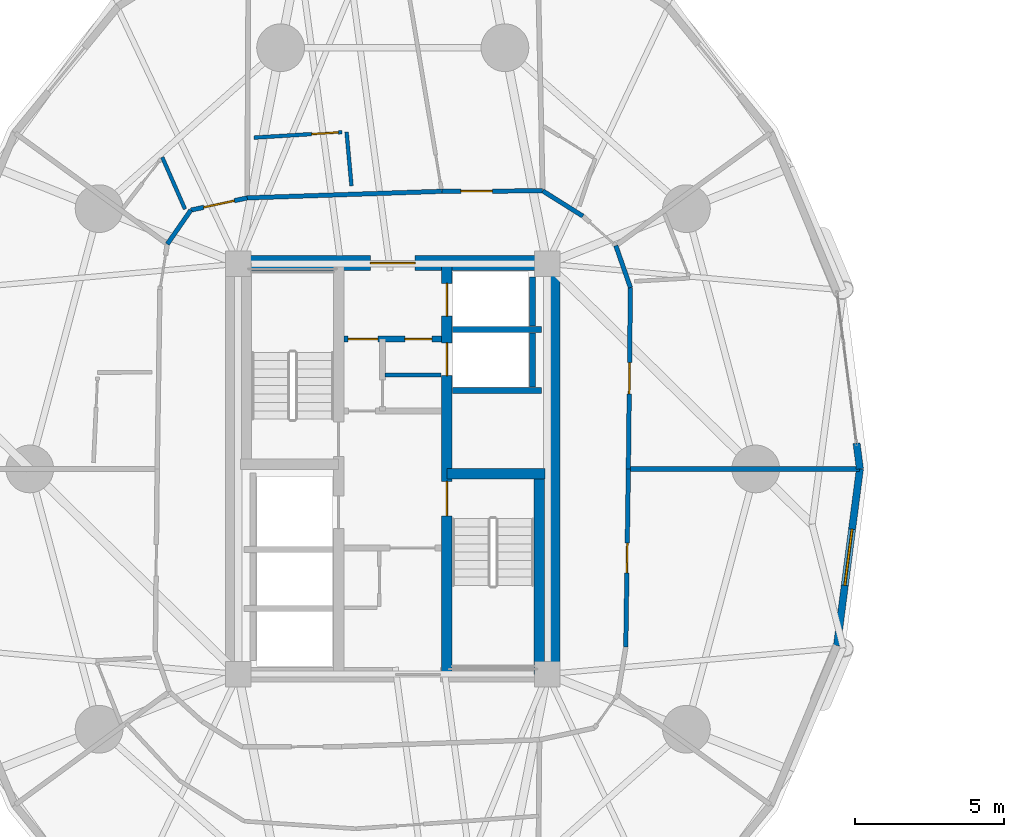
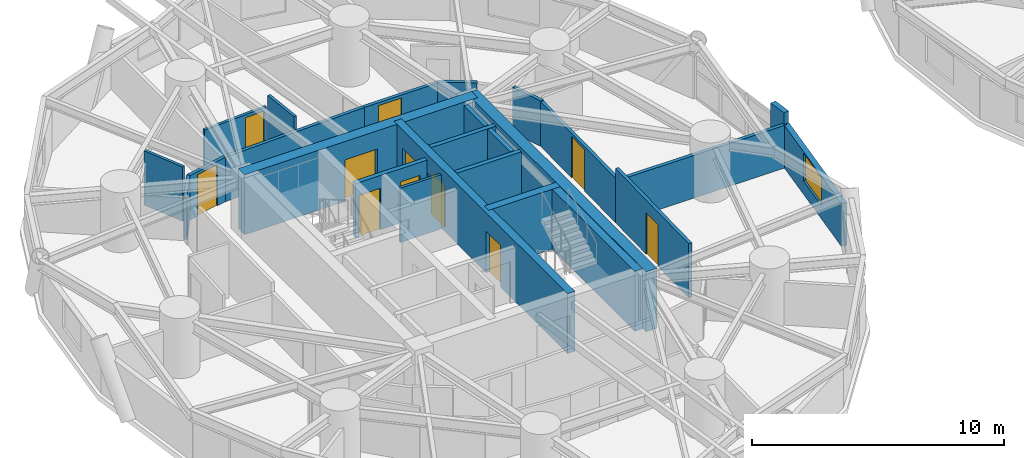
# One storey, part 11 of 18: 25 walls, 11 doors, 1 window, 12 openings.
"""IFC4 building model written with IfcOpenShell, lengths in metres."""

from ifc_helpers import new_model, si_unit, direction, frame, frame_2d, origin, place, context, subcontext, project, spatial, rectangle, extrude, source, transform, mapped, material, layer, layer_set, type_object, element, fill, save


model = new_model("IFC4")

# Units and contexts
model_context = context("Model", 3, precision=1e-05, world=origin(), true_north=direction((0.0, 1.0)))
body_context = subcontext(model_context, "Body", "Model", "MODEL_VIEW")
ifc_project = project(units=[si_unit("LENGTHUNIT", "METRE"), si_unit("AREAUNIT", "SQUARE_METRE"), si_unit("VOLUMEUNIT", "CUBIC_METRE"), si_unit("PLANEANGLEUNIT", "RADIAN"), si_unit("MASSUNIT", "GRAM", prefix="KILO")], contexts=[model_context])

# Site, building, storey
site_placement = place(None, origin())
site = spatial("IfcSite", under=ifc_project, at=site_placement, CompositionType="ELEMENT")
building_placement = place(site_placement, origin())
building = spatial("IfcBuilding", under=site, at=building_placement, Name="Cununo Teusaquillo Station Towers", CompositionType="ELEMENT")
storey_placement = place(building_placement, frame((0.0, 0.0, 54.010009765625)))
storey = spatial("IfcBuildingStorey", under=building, at=storey_placement, Name="L16", CompositionType="ELEMENT", Elevation=54.010009765625)

# Walls
ifc_material_1 = material(Name="Concrete C50/60", Category="concrete")
ifc_layer_1 = layer(ifc_material_1, 0.199951171875)
ifc_layer_set_1 = layer_set([ifc_layer_1], Name="Concrete C50/60")
wall_type_1 = type_object("IfcWallType", Name="WL-CORE-200", PredefinedType="SHEAR", material=ifc_layer_set_1)
for number, where, z_axis, x_axis, name in (
    (1, (18.510009765625, 27.1298828125, 0.0), (0.0, 0.0, 1.0), (1.0, 0.0, 0.0), "L16 Tower A Low-Rise Lift Hoistway South Shear Wall"),
    (2, (18.510009765625, 29.175048828125, 0.0), (0.0, 0.0, 1.0), (1.0, 0.0, 0.0), "L16 Tower A Low-Rise Lift Hoistway Divider Shear Wall"),
):
    element("IfcWall", number, at=place(storey_placement, frame(where, z_axis=z_axis, x_axis=x_axis)), inside=storey, type_object=wall_type_1, Name=name, PredefinedType="SHEAR", context=body_context, shape_type="SweptSolid", body=[
        extrude(rectangle(XDim=2.969970703125, YDim=0.199951171875, at=frame_2d((1.48486328125, 0.0))), origin(), (0.0, 0.0, 1.0), 2.909912109375),
    ])
wall_1_placement = place(storey_placement, frame((21.179931640625, 27.25, 0.0), z_axis=(0.0, 0.0, 1.0), x_axis=(0.0, 1.0, 0.0)))
element("IfcWall", 3, at=wall_1_placement, inside=storey, type_object=wall_type_1, Name="L16 Tower A Low-Rise Lift 1 Shaft Rear Shear Wall", PredefinedType="SHEAR", context=body_context, shape_type="SweptSolid", body=[
    extrude(rectangle(XDim=1.804931640625, YDim=0.199951171875, at=frame_2d((0.90234375, 0.0))), origin(), (0.0, 0.0, 1.0), 2.909912109375),
])
wall_2_placement = place(storey_placement, frame((21.179931640625, 29.294921875, 0.0), z_axis=(0.0, 0.0, 1.0), x_axis=(0.0, 1.0, 0.0)))
element("IfcWall", 4, at=wall_2_placement, inside=storey, type_object=wall_type_1, Name="L16 Tower A Low-Rise Lift 2 Shaft Rear Shear Wall", PredefinedType="SHEAR", context=body_context, shape_type="SweptSolid", body=[
    extrude(rectangle(XDim=1.635009765625, YDim=0.199951171875, at=frame_2d((0.8173828125, 0.0))), origin(), (0.0, 0.0, 1.0), 2.909912109375),
])

# Wall, openings, doors
ifc_material_2 = material(Name="Concrete C50/60", Category="concrete")
ifc_layer_2 = layer(ifc_material_2, 0.35009765625)
ifc_layer_set_2 = layer_set([ifc_layer_2], Name="Concrete C50/60")
wall_type_2 = type_object("IfcWallType", Name="WL-CORE-350", PredefinedType="SHEAR", material=ifc_layer_set_2)
wall_3_placement = place(storey_placement, frame((18.31494140625, 17.60009765625, 0.0), z_axis=(0.0, 0.0, 1.0), x_axis=(0.0, 1.0, 0.0)))
wall_3 = element("IfcWall", 5, at=wall_3_placement, inside=storey, type_object=wall_type_2, Name="L16 Tower A Core Shear Wall IE", PredefinedType="SHEAR", context=body_context, shape_type="SweptSolid", body=[
    extrude(rectangle(XDim=13.7998046875, YDim=0.35009765625, at=frame_2d((6.89990234375, 0.0))), origin(), (0.0, 0.0, 1.0), 2.909912109375),
])
shared_shape_1 = source(origin(), body_context, "Body", "SweptSolid", [
    extrude(rectangle(XDim=1.10009765625, YDim=2.014892578125, at=frame_2d((0.550048828125, 1.00732421875))), frame((0.0, 0.18505859375, 0.0), z_axis=(0.0, -1.0, 0.0), x_axis=(1.0, 0.0, 0.0)), (0.0, 0.0, 1.0), 0.3701171875),
])
opening_1_placement = place(wall_3_placement, frame((10.02490234375, 0.0, 0.0)))
opening_1 = element("IfcOpeningElement", 6, at=opening_1_placement, cuts=wall_3, Name="Opening LD-01", PredefinedType="OPENING", context=body_context, shape_type="MappedRepresentation", body=[
    mapped(shared_shape_1, transform((0.0, 0.0, 0.0), x_axis=(1.0, 0.0, 0.0), y_axis=(0.0, 1.0, 0.0), z_axis=(0.0, 0.0, 1.0), scale=1.0)),
])
opening_2_placement = place(wall_3_placement, frame((12.02490234375, 0.0, 0.0)))
opening_2 = element("IfcOpeningElement", 7, at=opening_2_placement, cuts=wall_3, Name="Opening LD-01", PredefinedType="OPENING", context=body_context, shape_type="MappedRepresentation", body=[
    mapped(shared_shape_1, transform((0.0, 0.0, 0.0), x_axis=(1.0, 0.0, 0.0), y_axis=(0.0, 1.0, 0.0), z_axis=(0.0, 0.0, 1.0), scale=1.0)),
])
shared_shape_2 = source(origin(), body_context, "Body", "SweptSolid", [
    extrude(rectangle(XDim=1.14990234375, YDim=2.02001953125, at=frame_2d((0.574951171875, 1.010009765625))), frame((0.0, 0.18505859375, 0.0), z_axis=(0.0, -1.0, 0.0), x_axis=(1.0, 0.0, 0.0)), (0.0, 0.0, 1.0), 0.3701171875),
])
opening_3_placement = place(wall_3_placement, frame((5.330078125, 0.0, 0.0)))
opening_3 = element("IfcOpeningElement", 8, at=opening_3_placement, cuts=wall_3, Name="Opening D-ST1", PredefinedType="OPENING", context=body_context, shape_type="MappedRepresentation", body=[
    mapped(shared_shape_2, transform((0.0, 0.0, 0.0), x_axis=(1.0, 0.0, 0.0), y_axis=(0.0, 1.0, 0.0), z_axis=(0.0, 0.0, 1.0), scale=1.0)),
])
ifc_material_3 = material(Name="Galvanised fire-rated hollow steel door assembly", Category="steel")
door_type_1 = type_object("IfcDoorType", Name="DR-LIFT-1100", OperationType="SLIDING_TO_LEFT", PredefinedType="DOOR", material=ifc_material_3)
shared_shape_3 = source(origin(), body_context, "Body", "SweptSolid", [
    extrude(rectangle(XDim=1.10009765625, YDim=2.014892578125, at=frame_2d((0.550048828125, 1.00732421875))), frame((0.0, 0.02490234375, 0.0), z_axis=(0.0, -1.0, 0.0), x_axis=(1.0, 0.0, 0.0)), (0.0, 0.0, 1.0), 0.050048828125),
])
door_1_placement = place(opening_1_placement, origin())
door_1 = element("IfcDoor", 9, at=door_1_placement, inside=storey, type_object=door_type_1, Name="L16 Lift PL-T1-L1 Sliding Landing Door", OperationType="SLIDING_TO_RIGHT", OverallHeight=2.014892578125, OverallWidth=1.10009765625, PredefinedType="DOOR", context=body_context, shape_type="MappedRepresentation", body=[
    mapped(shared_shape_3, transform((0.0, 0.0, 0.0), x_axis=(1.0, 0.0, 0.0), y_axis=(0.0, 1.0, 0.0), z_axis=(0.0, 0.0, 1.0), scale=1.0)),
])
fill(opening_1, door_1)
door_2_placement = place(opening_2_placement, origin())
door_2 = element("IfcDoor", 10, at=door_2_placement, inside=storey, type_object=door_type_1, Name="L16 Lift PL-T1-L2 Sliding Landing Door", OperationType="SLIDING_TO_LEFT", OverallHeight=2.014892578125, OverallWidth=1.10009765625, PredefinedType="DOOR", context=body_context, shape_type="MappedRepresentation", body=[
    mapped(shared_shape_3, transform((0.0, 0.0, 0.0), x_axis=(1.0, 0.0, 0.0), y_axis=(0.0, 1.0, 0.0), z_axis=(0.0, 0.0, 1.0), scale=1.0)),
])
fill(opening_2, door_2)
ifc_material_4 = material(Name="Galvanised fire-rated hollow steel door assembly", Category="steel")
door_type_2 = type_object("IfcDoorType", Name="DR-STAIR-1150", OperationType="NOTDEFINED", PredefinedType="DOOR", material=ifc_material_4)
shared_shape_4 = source(origin(), body_context, "Body", "SweptSolid", [
    extrude(rectangle(XDim=1.14990234375, YDim=2.02001953125, at=frame_2d((0.574951171875, 1.010009765625))), frame((0.0, 0.02490234375, 0.0), z_axis=(0.0, -1.0, 0.0), x_axis=(1.0, 0.0, 0.0)), (0.0, 0.0, 1.0), 0.050048828125),
])
door_3_placement = place(opening_3_placement, origin())
door_3 = element("IfcDoor", 11, at=door_3_placement, inside=storey, type_object=door_type_2, Name="L16 Tower A Exit Stair 2 Fire Door", OperationType="SINGLE_SWING_RIGHT", OverallHeight=2.02001953125, OverallWidth=1.14990234375, PredefinedType="DOOR", context=body_context, shape_type="MappedRepresentation", body=[
    mapped(shared_shape_4, transform((0.0, 0.0, 0.0), x_axis=(1.0, 0.0, 0.0), y_axis=(0.0, 1.0, 0.0), z_axis=(0.0, 0.0, 1.0), scale=1.0)),
])
fill(opening_3, door_3)

# Walls
wall_4_placement = place(storey_placement, frame((21.405029296875, 17.60009765625, 0.0), z_axis=(0.0, 0.0, 1.0), x_axis=(0.0, 1.0, 0.0)))
element("IfcWall", 12, at=wall_4_placement, inside=storey, type_object=wall_type_2, Name="L16 Tower A Core Shear Wall ST2E", PredefinedType="SHEAR", context=body_context, shape_type="SweptSolid", body=[
    extrude(rectangle(XDim=6.744873046875, YDim=0.35009765625, at=frame_2d((3.37255859375, 0.0))), origin(), (0.0, 0.0, 1.0), 2.909912109375),
])
wall_5_placement = place(storey_placement, frame((18.31494140625, 24.344970703125, 0.0), z_axis=(0.0, 0.0, 1.0), x_axis=(1.0, 0.0, 0.0)))
element("IfcWall", 13, at=wall_5_placement, inside=storey, type_object=wall_type_2, Name="L16 Tower A Core Shear Wall ST2N", PredefinedType="SHEAR", context=body_context, shape_type="SweptSolid", body=[
    extrude(rectangle(XDim=3.28515625, YDim=0.35009765625, at=frame_2d((1.642578125, 0.0))), origin(), (0.0, 0.0, 1.0), 2.909912109375),
])
ifc_material_5 = material(Name="Concrete C60/75", Category="concrete")
ifc_layer_3 = layer(ifc_material_5, 0.5)
ifc_layer_set_3 = layer_set([ifc_layer_3], Name="Concrete C60/75")
wall_type_3 = type_object("IfcWallType", Name="WL-CORE-500", PredefinedType="SHEAR", material=ifc_layer_set_3)
wall_6_placement = place(storey_placement, frame((21.85009765625, 17.35009765625, 0.0), z_axis=(0.0, 0.0, 1.0), x_axis=(0.0, 1.0, 0.0)))
element("IfcWall", 14, at=wall_6_placement, inside=storey, type_object=wall_type_3, Name="L16 Tower A Core Shear Wall E", PredefinedType="SHEAR", context=body_context, shape_type="SweptSolid", body=[
    extrude(rectangle(XDim=14.2998046875, YDim=0.5, at=frame_2d((7.14990234375, 0.0))), origin(), (0.0, 0.0, 1.0), 2.909912109375),
])

# Wall, opening, door
wall_7_placement = place(storey_placement, frame((11.14990234375, 31.39990234375, 0.0), z_axis=(0.0, 0.0, 1.0), x_axis=(1.0, 0.0, 0.0)))
wall_7 = element("IfcWall", 15, at=wall_7_placement, inside=storey, type_object=wall_type_3, Name="L16 Tower A Core Shear Wall N", PredefinedType="SHEAR", context=body_context, shape_type="SweptSolid", body=[
    extrude(rectangle(XDim=10.7001953125, YDim=0.5, at=frame_2d((5.35009765625, 0.0))), origin(), (0.0, 0.0, 1.0), 2.909912109375),
])
shared_shape_5 = source(origin(), body_context, "Body", "SweptSolid", [
    extrude(rectangle(XDim=1.5, YDim=2.02001953125, at=frame_2d((0.75, 1.010009765625))), frame((0.0, 0.260009765625, 0.0), z_axis=(0.0, -1.0, 0.0), x_axis=(1.0, 0.0, 0.0)), (0.0, 0.0, 1.0), 0.52001953125),
])
opening_4_placement = place(wall_7_placement, frame((4.60009765625, 0.0, 0.0)))
opening_4 = element("IfcOpeningElement", 16, at=opening_4_placement, cuts=wall_7, Name="Opening D-LB1", PredefinedType="OPENING", context=body_context, shape_type="MappedRepresentation", body=[
    mapped(shared_shape_5, transform((0.0, 0.0, 0.0), x_axis=(1.0, 0.0, 0.0), y_axis=(0.0, 1.0, 0.0), z_axis=(0.0, 0.0, 1.0), scale=1.0)),
])
ifc_material_6 = material(Name="Galvanised fire-rated hollow steel door assembly", Category="steel")
door_type_3 = type_object("IfcDoorType", Name="DR-LOBBY-1500", OperationType="DOUBLE_DOOR_SINGLE_SWING", PredefinedType="DOOR", material=ifc_material_6)
shared_shape_6 = source(origin(), body_context, "Body", "SweptSolid", [
    extrude(rectangle(XDim=1.5, YDim=2.02001953125, at=frame_2d((0.75, 1.010009765625))), frame((0.0, 0.02490234375, 0.0), z_axis=(0.0, -1.0, 0.0), x_axis=(1.0, 0.0, 0.0)), (0.0, 0.0, 1.0), 0.050048828125),
])
door_4_placement = place(opening_4_placement, origin())
door_4 = element("IfcDoor", 17, at=door_4_placement, inside=storey, type_object=door_type_3, Name="L16 Tower A North Core Lift Lobby Door", OperationType="DOUBLE_DOOR_SINGLE_SWING", OverallHeight=2.02001953125, OverallWidth=1.5, PredefinedType="DOOR", context=body_context, shape_type="MappedRepresentation", body=[
    mapped(shared_shape_6, transform((0.0, 0.0, 0.0), x_axis=(1.0, 0.0, 0.0), y_axis=(0.0, 1.0, 0.0), z_axis=(0.0, 0.0, 1.0), scale=1.0)),
])
fill(opening_4, door_4)

# Wall
ifc_material_7 = material(Name="Precast concrete C40/50", Category="concrete")
ifc_layer_4 = layer(ifc_material_7, 0.239990234375)
ifc_layer_set_4 = layer_set([ifc_layer_4], Name="Precast concrete C40/50")
wall_type_4 = type_object("IfcWallType", Name="WL-EXT-240", PredefinedType="SOLIDWALL", material=ifc_layer_set_4)
wall_8_placement = place(storey_placement, frame((32.05126953125, 25.36279296875, 0.0), z_axis=(0.0, 0.0, 1.0), x_axis=(0.128523364007, -0.991706481225, 0.0)))
element("IfcWall", 18, at=wall_8_placement, inside=storey, type_object=wall_type_4, Name="L16 Tower A Column Pier Cladding Wall C00-PB", PredefinedType="SOLIDWALL", context=body_context, shape_type="SweptSolid", body=[
    extrude(rectangle(XDim=0.8701171875, YDim=0.239990234375, at=frame_2d((0.43505859375, 0.0))), origin(), (0.0, 0.0, 1.0), 2.635009765625),
])

# Wall, opening, window
wall_9_placement = place(storey_placement, frame((32.1630859375, 24.5, 0.0), z_axis=(0.0, 0.0, 1.0), x_axis=(-0.128339641463, -0.991730274031, 0.0)))
wall_9 = element("IfcWall", 19, at=wall_9_placement, inside=storey, type_object=wall_type_4, Name="L16 Tower A Exterior Facade Wall C19", PredefinedType="SOLIDWALL", context=body_context, shape_type="SweptSolid", body=[
    extrude(rectangle(XDim=5.97314453125, YDim=0.239990234375, at=frame_2d((2.986572265625, 0.0))), origin(), (0.0, 0.0, 1.0), 2.072998046875),
])
shared_shape_7 = source(origin(), body_context, "Body", "SweptSolid", [
    extrude(rectangle(XDim=1.89990234375, YDim=1.35009765625, at=frame_2d((0.949951171875, 0.675048828125))), frame((0.0, 0.1298828125, 0.0), z_axis=(0.0, -1.0, 0.0), x_axis=(1.0, 0.0, 0.0)), (0.0, 0.0, 1.0), 0.260009765625),
])
opening_5_placement = place(wall_9_placement, frame((2.037109375, 0.0, 0.64990234375)))
opening_5 = element("IfcOpeningElement", 20, at=opening_5_placement, cuts=wall_9, Name="Opening WN-02", PredefinedType="OPENING", context=body_context, shape_type="MappedRepresentation", body=[
    mapped(shared_shape_7, transform((0.0, 0.0, 0.0), x_axis=(1.0, 0.0, 0.0), y_axis=(0.0, 1.0, 0.0), z_axis=(0.0, 0.0, 1.0), scale=1.0)),
])
ifc_material_8 = material(Name="Operable acoustic tinted low-E double glazing", Category="glass")
window_type = type_object("IfcWindowType", Name="WIN-OPER-1900", PartitioningType="DOUBLE_PANEL_VERTICAL", PredefinedType="WINDOW", material=ifc_material_8)
shared_shape_8 = source(origin(), body_context, "Body", "SweptSolid", [
    extrude(rectangle(XDim=1.89990234375, YDim=1.35009765625, at=frame_2d((0.949951171875, 0.675048828125))), frame((0.0, 0.030029296875, 0.0), z_axis=(0.0, -1.0, 0.0), x_axis=(1.0, 0.0, 0.0)), (0.0, 0.0, 1.0), 0.06005859375),
])
window_placement = place(opening_5_placement, origin())
window = element("IfcWindow", 21, at=window_placement, inside=storey, type_object=window_type, Name="L16 Tower A Facade Window C19", OverallHeight=1.35009765625, OverallWidth=1.89990234375, PartitioningType="DOUBLE_PANEL_VERTICAL", PredefinedType="WINDOW", context=body_context, shape_type="MappedRepresentation", body=[
    mapped(shared_shape_8, transform((0.0, 0.0, 0.0), x_axis=(1.0, 0.0, 0.0), y_axis=(0.0, 1.0, 0.0), z_axis=(0.0, 0.0, 1.0), scale=1.0)),
])
fill(opening_5, window)

# Walls
ifc_material_9 = material(Name="Fire-rated gypsum plasterboard partition assembly", Category="gypsum")
ifc_layer_5 = layer(ifc_material_9, 0.125)
ifc_layer_set_5 = layer_set([ifc_layer_5], Name="Fire-rated gypsum plasterboard partition assembly")
wall_type_5 = type_object("IfcWallType", Name="WL-PART-125", PredefinedType="PARTITIONING", material=ifc_layer_set_5)
wall_10_placement = place(storey_placement, frame((16.239990234375, 27.64990234375, 0.0), z_axis=(0.0, 0.0, 1.0), x_axis=(1.0, 0.0, 0.0)))
element("IfcWall", 22, at=wall_10_placement, inside=storey, type_object=wall_type_5, Name="L16 Tower A Core Horizontal Split Wall", PredefinedType="PARTITIONING", context=body_context, shape_type="SweptSolid", body=[
    extrude(rectangle(XDim=1.880126953125, YDim=0.125, at=frame_2d((0.93994140625, 0.0))), origin(), (0.0, 0.0, 1.0), 2.635009765625),
])
wall_11_placement = place(storey_placement, frame((15.1162109375, 33.992919921875, 0.0), z_axis=(0.0, 0.0, 1.0), x_axis=(-0.090547877021, 0.995892103577, 0.0)))
element("IfcWall", 23, at=wall_11_placement, inside=storey, type_object=wall_type_5, Name="L16 Tower A S03 En-suite Side Wall", PredefinedType="PARTITIONING", context=body_context, shape_type="SweptSolid", body=[
    extrude(rectangle(XDim=1.814697265625, YDim=0.125, at=frame_2d((0.9072265625, 0.0))), origin(), (0.0, 0.0, 1.0), 2.635009765625),
])

# Wall, opening, door
wall_12_placement = place(storey_placement, frame((14.798095703125, 35.79052734375, 0.0), z_axis=(0.0, 0.0, 1.0), x_axis=(-0.998108365817, -0.06147918417, 0.0)))
wall_12 = element("IfcWall", 24, at=wall_12_placement, inside=storey, type_object=wall_type_5, Name="L16 Tower A S03 En-suite Back Wall", PredefinedType="PARTITIONING", context=body_context, shape_type="SweptSolid", body=[
    extrude(rectangle(XDim=2.95849609375, YDim=0.125, at=frame_2d((1.479248046875, 0.0))), origin(), (0.0, 0.0, 1.0), 2.158935546875),
])
shared_shape_9 = source(origin(), body_context, "Body", "SweptSolid", [
    extrude(rectangle(XDim=0.89990234375, YDim=2.0048828125, at=frame_2d((0.449951171875, 1.00244140625))), frame((0.0, 0.072509765625, 0.0), z_axis=(0.0, -1.0, 0.0), x_axis=(1.0, 0.0, 0.0)), (0.0, 0.0, 1.0), 0.14501953125),
])
opening_6_placement = place(wall_12_placement, frame((0.1201171875, 0.0, 0.0)))
opening_6 = element("IfcOpeningElement", 25, at=opening_6_placement, cuts=wall_12, Name="Opening D-IN1", PredefinedType="OPENING", context=body_context, shape_type="MappedRepresentation", body=[
    mapped(shared_shape_9, transform((0.0, 0.0, 0.0), x_axis=(1.0, 0.0, 0.0), y_axis=(0.0, 1.0, 0.0), z_axis=(0.0, 0.0, 1.0), scale=1.0)),
])
ifc_material_10 = material(Name="Acoustic solid-core hardwood leaf assembly", Category="wood")
door_type_4 = type_object("IfcDoorType", Name="DR-INT-900", OperationType="NOTDEFINED", PredefinedType="DOOR", material=ifc_material_10)
shared_shape_10 = source(origin(), body_context, "Body", "SweptSolid", [
    extrude(rectangle(XDim=0.89990234375, YDim=2.0048828125, at=frame_2d((0.449951171875, 1.00244140625))), frame((0.0, 0.02490234375, 0.0), z_axis=(0.0, -1.0, 0.0), x_axis=(1.0, 0.0, 0.0)), (0.0, 0.0, 1.0), 0.050048828125),
])
door_5_placement = place(opening_6_placement, origin())
door_5 = element("IfcDoor", 26, at=door_5_placement, inside=storey, type_object=door_type_4, Name="L16 Tower A S03 En-suite Bathroom Door", OperationType="SINGLE_SWING_RIGHT", OverallHeight=2.0048828125, OverallWidth=0.89990234375, PredefinedType="DOOR", context=body_context, shape_type="MappedRepresentation", body=[
    mapped(shared_shape_10, transform((0.0, 0.0, 0.0), x_axis=(1.0, 0.0, 0.0), y_axis=(0.0, 1.0, 0.0), z_axis=(0.0, 0.0, 1.0), scale=1.0)),
])
fill(opening_6, door_5)

# Wall
wall_13_placement = place(storey_placement, frame((9.53515625, 33.210693359375, 0.0), z_axis=(0.0, 0.0, 1.0), x_axis=(-0.401687955793, 0.915776602765, 0.0)))
element("IfcWall", 27, at=wall_13_placement, inside=storey, type_object=wall_type_5, Name="L16 Tower A S04 En-suite Side Wall", PredefinedType="PARTITIONING", context=body_context, shape_type="SweptSolid", body=[
    extrude(rectangle(XDim=1.900634765625, YDim=0.125, at=frame_2d((0.9501953125, 0.0))), origin(), (0.0, 0.0, 1.0), 2.635009765625),
])

# Wall, opening, door
ifc_material_11 = material(Name="Fire-rated gypsum plasterboard partition assembly", Category="gypsum")
ifc_layer_6 = layer(ifc_material_11, 0.14990234375)
ifc_layer_set_6 = layer_set([ifc_layer_6], Name="Fire-rated gypsum plasterboard partition assembly")
wall_type_6 = type_object("IfcWallType", Name="WL-PART-150", PredefinedType="PARTITIONING", material=ifc_layer_set_6)
wall_14_placement = place(storey_placement, frame((24.39990234375, 24.5, 0.0), z_axis=(0.0, 0.0, 1.0), x_axis=(0.011359710161, 0.999935476411, 0.0)))
wall_14 = element("IfcWall", 28, at=wall_14_placement, inside=storey, type_object=wall_type_6, Name="L16 Tower A Corridor Ring Wall C00", PredefinedType="PARTITIONING", context=body_context, shape_type="SweptSolid", body=[
    extrude(rectangle(XDim=6.082275390625, YDim=0.14990234375, at=frame_2d((3.041015625, 0.0))), origin(), (0.0, 0.0, 1.0), 2.158935546875),
])
shared_shape_11 = source(origin(), body_context, "Body", "SweptSolid", [
    extrude(rectangle(XDim=1.050048828125, YDim=2.014892578125, at=frame_2d((0.52490234375, 1.00732421875))), frame((0.0, 0.0849609375, 0.0), z_axis=(0.0, -1.0, 0.0), x_axis=(1.0, 0.0, 0.0)), (0.0, 0.0, 1.0), 0.169921875),
])
opening_7_placement = place(wall_14_placement, frame((2.51611328125, 0.0, 0.0)))
opening_7 = element("IfcOpeningElement", 29, at=opening_7_placement, cuts=wall_14, Name="Opening D-SU1", PredefinedType="OPENING", context=body_context, shape_type="MappedRepresentation", body=[
    mapped(shared_shape_11, transform((0.0, 0.0, 0.0), x_axis=(1.0, 0.0, 0.0), y_axis=(0.0, 1.0, 0.0), z_axis=(0.0, 0.0, 1.0), scale=1.0)),
])
ifc_material_12 = material(Name="Acoustic solid-core hardwood leaf assembly", Category="wood")
door_type_5 = type_object("IfcDoorType", Name="DR-SUITE-1050", OperationType="NOTDEFINED", PredefinedType="DOOR", material=ifc_material_12)
shared_shape_12 = source(origin(), body_context, "Body", "SweptSolid", [
    extrude(rectangle(XDim=1.050048828125, YDim=2.014892578125, at=frame_2d((0.52490234375, 1.00732421875))), frame((0.0, 0.02490234375, 0.0), z_axis=(0.0, -1.0, 0.0), x_axis=(1.0, 0.0, 0.0)), (0.0, 0.0, 1.0), 0.050048828125),
])
door_6_placement = place(opening_7_placement, origin())
door_6 = element("IfcDoor", 30, at=door_6_placement, inside=storey, type_object=door_type_5, Name="L16 Tower A Premier Diplomatic Hotel Suite Entrance Door", OperationType="SINGLE_SWING_RIGHT", OverallHeight=2.014892578125, OverallWidth=1.050048828125, PredefinedType="DOOR", context=body_context, shape_type="MappedRepresentation", body=[
    mapped(shared_shape_12, transform((0.0, 0.0, 0.0), x_axis=(1.0, 0.0, 0.0), y_axis=(0.0, 1.0, 0.0), z_axis=(0.0, 0.0, 1.0), scale=1.0)),
])
fill(opening_7, door_6)

# Walls
wall_15_placement = place(storey_placement, frame((24.468994140625, 30.581787109375, 0.0), z_axis=(0.0, 0.0, 1.0), x_axis=(-0.328902536986, 0.944363871166, 0.0)))
element("IfcWall", 31, at=wall_15_placement, inside=storey, type_object=wall_type_6, Name="L16 Tower A Corridor Ring Wall C01", PredefinedType="PARTITIONING", context=body_context, shape_type="SweptSolid", body=[
    extrude(rectangle(XDim=1.487548828125, YDim=0.14990234375, at=frame_2d((0.74365234375, 0.0))), origin(), (0.0, 0.0, 1.0), 2.205078125),
])
wall_16_placement = place(storey_placement, frame((22.87744140625, 32.9755859375, 0.0), z_axis=(0.0, 0.0, 1.0), x_axis=(-0.846723232687, 0.532033614754, 0.0)))
element("IfcWall", 32, at=wall_16_placement, inside=storey, type_object=wall_type_6, Name="L16 Tower A Corridor Ring Wall C03", PredefinedType="PARTITIONING", context=body_context, shape_type="SweptSolid", body=[
    extrude(rectangle(XDim=1.594970703125, YDim=0.14990234375, at=frame_2d((0.79736328125, 0.0))), origin(), (0.0, 0.0, 1.0), 2.205078125),
])

# Wall, opening, door
wall_17_placement = place(storey_placement, frame((21.52685546875, 33.82421875, 0.0), z_axis=(0.0, 0.0, 1.0), x_axis=(-0.999990631344, -0.00432865146, 0.0)))
wall_17 = element("IfcWall", 33, at=wall_17_placement, inside=storey, type_object=wall_type_6, Name="L16 Tower A Corridor Ring Wall C04", PredefinedType="PARTITIONING", context=body_context, shape_type="SweptSolid", body=[
    extrude(rectangle(XDim=3.384033203125, YDim=0.14990234375, at=frame_2d((1.69189453125, 0.0))), origin(), (0.0, 0.0, 1.0), 2.158935546875),
])
opening_8_placement = place(wall_17_placement, frame((1.6904296875, 0.0, 0.0)))
opening_8 = element("IfcOpeningElement", 34, at=opening_8_placement, cuts=wall_17, Name="Opening D-SU1", PredefinedType="OPENING", context=body_context, shape_type="MappedRepresentation", body=[
    mapped(shared_shape_11, transform((0.0, 0.0, 0.0), x_axis=(1.0, 0.0, 0.0), y_axis=(0.0, 1.0, 0.0), z_axis=(0.0, 0.0, 1.0), scale=1.0)),
])
door_7_placement = place(opening_8_placement, origin())
door_7 = element("IfcDoor", 35, at=door_7_placement, inside=storey, type_object=door_type_5, Name="L16 Tower A Presidential Hospitality Suite Entrance Door", OperationType="SINGLE_SWING_RIGHT", OverallHeight=2.014892578125, OverallWidth=1.050048828125, PredefinedType="DOOR", context=body_context, shape_type="MappedRepresentation", body=[
    mapped(shared_shape_12, transform((0.0, 0.0, 0.0), x_axis=(1.0, 0.0, 0.0), y_axis=(0.0, 1.0, 0.0), z_axis=(0.0, 0.0, 1.0), scale=1.0)),
])
fill(opening_8, door_7)

# Wall
wall_18_placement = place(storey_placement, frame((18.142822265625, 33.8095703125, 0.0), z_axis=(0.0, 0.0, 1.0), x_axis=(-0.999423023908, -0.033964971394, 0.0)))
element("IfcWall", 36, at=wall_18_placement, inside=storey, type_object=wall_type_6, Name="L16 Tower A Corridor Ring Wall C05", PredefinedType="PARTITIONING", context=body_context, shape_type="SweptSolid", body=[
    extrude(rectangle(XDim=6.526611328125, YDim=0.14990234375, at=frame_2d((3.26318359375, 0.0))), origin(), (0.0, 0.0, 1.0), 2.158935546875),
])

# Wall, opening, door
wall_19_placement = place(storey_placement, frame((11.619873046875, 33.587890625, 0.0), z_axis=(0.0, 0.0, 1.0), x_axis=(-0.977392314559, -0.211433827571, 0.0)))
wall_19 = element("IfcWall", 37, at=wall_19_placement, inside=storey, type_object=wall_type_6, Name="L16 Tower A Corridor Ring Wall C06", PredefinedType="PARTITIONING", context=body_context, shape_type="SweptSolid", body=[
    extrude(rectangle(XDim=1.93408203125, YDim=0.14990234375, at=frame_2d((0.967041015625, 0.0))), origin(), (0.0, 0.0, 1.0), 2.158935546875),
])
opening_9_placement = place(wall_19_placement, frame((0.44189453125, 0.0, 0.0)))
opening_9 = element("IfcOpeningElement", 38, at=opening_9_placement, cuts=wall_19, Name="Opening D-SU1", PredefinedType="OPENING", context=body_context, shape_type="MappedRepresentation", body=[
    mapped(shared_shape_11, transform((0.0, 0.0, 0.0), x_axis=(1.0, 0.0, 0.0), y_axis=(0.0, 1.0, 0.0), z_axis=(0.0, 0.0, 1.0), scale=1.0)),
])
door_8_placement = place(opening_9_placement, origin())
door_8 = element("IfcDoor", 39, at=door_8_placement, inside=storey, type_object=door_type_5, Name="L16 Tower A Chancellor Corner Hotel Suite Entrance Door", OperationType="SINGLE_SWING_LEFT", OverallHeight=2.014892578125, OverallWidth=1.050048828125, PredefinedType="DOOR", context=body_context, shape_type="MappedRepresentation", body=[
    mapped(shared_shape_12, transform((0.0, 0.0, 0.0), x_axis=(1.0, 0.0, 0.0), y_axis=(0.0, 1.0, 0.0), z_axis=(0.0, 0.0, 1.0), scale=1.0)),
])
fill(opening_9, door_8)

# Wall
wall_20_placement = place(storey_placement, frame((9.7294921875, 33.178955078125, 0.0), z_axis=(0.0, 0.0, 1.0), x_axis=(-0.569155068352, -0.822230203878, 0.0)))
element("IfcWall", 40, at=wall_20_placement, inside=storey, type_object=wall_type_6, Name="L16 Tower A Corridor Ring Wall C07", PredefinedType="PARTITIONING", context=body_context, shape_type="SweptSolid", body=[
    extrude(rectangle(XDim=1.38720703125, YDim=0.14990234375, at=frame_2d((0.693603515625, 0.0))), origin(), (0.0, 0.0, 1.0), 2.158935546875),
])

# Wall, opening, door
wall_21_placement = place(storey_placement, frame((24.3134765625, 18.52880859375, 0.0), z_axis=(0.0, 0.0, 1.0), x_axis=(0.014472275982, 0.99989527113, 0.0)))
wall_21 = element("IfcWall", 41, at=wall_21_placement, inside=storey, type_object=wall_type_6, Name="L16 Tower A Corridor Ring Wall C19", PredefinedType="PARTITIONING", context=body_context, shape_type="SweptSolid", body=[
    extrude(rectangle(XDim=5.971923828125, YDim=0.14990234375, at=frame_2d((2.98583984375, 0.0))), origin(), (0.0, 0.0, 1.0), 2.635009765625),
])
shared_shape_13 = source(origin(), body_context, "Body", "SweptSolid", [
    extrude(rectangle(XDim=1.0, YDim=2.014892578125, at=frame_2d((0.5, 1.00732421875))), frame((0.0, 0.0849609375, 0.0), z_axis=(0.0, -1.0, 0.0), x_axis=(1.0, 0.0, 0.0)), (0.0, 0.0, 1.0), 0.169921875),
])
opening_10_placement = place(wall_21_placement, frame((2.486083984375, 0.0, 0.0)))
opening_10 = element("IfcOpeningElement", 42, at=opening_10_placement, cuts=wall_21, Name="Opening D-AC1", PredefinedType="OPENING", context=body_context, shape_type="MappedRepresentation", body=[
    mapped(shared_shape_13, transform((0.0, 0.0, 0.0), x_axis=(1.0, 0.0, 0.0), y_axis=(0.0, 1.0, 0.0), z_axis=(0.0, 0.0, 1.0), scale=1.0)),
])
ifc_material_13 = material(Name="Acoustic solid-core hardwood leaf assembly", Category="wood")
door_type_6 = type_object("IfcDoorType", Name="DR-ACC-1000", OperationType="NOTDEFINED", PredefinedType="DOOR", material=ifc_material_13)
shared_shape_14 = source(origin(), body_context, "Body", "SweptSolid", [
    extrude(rectangle(XDim=1.0, YDim=2.014892578125, at=frame_2d((0.5, 1.00732421875))), frame((0.0, 0.02490234375, 0.0), z_axis=(0.0, -1.0, 0.0), x_axis=(1.0, 0.0, 0.0)), (0.0, 0.0, 1.0), 0.050048828125),
])
door_9_placement = place(opening_10_placement, origin())
door_9 = element("IfcDoor", 43, at=door_9_placement, inside=storey, type_object=door_type_6, Name="L16 Tower A Public Accessible Restroom WC Entrance Door", OperationType="SINGLE_SWING_RIGHT", OverallHeight=2.014892578125, OverallWidth=1.0, PredefinedType="DOOR", context=body_context, shape_type="MappedRepresentation", body=[
    mapped(shared_shape_14, transform((0.0, 0.0, 0.0), x_axis=(1.0, 0.0, 0.0), y_axis=(0.0, 1.0, 0.0), z_axis=(0.0, 0.0, 1.0), scale=1.0)),
])
fill(opening_10, door_9)

# Wall
ifc_material_14 = material(Name="Fire-rated gypsum plasterboard partition assembly", Category="gypsum")
ifc_layer_7 = layer(ifc_material_14, 0.159912109375)
ifc_layer_set_7 = layer_set([ifc_layer_7], Name="Fire-rated gypsum plasterboard partition assembly")
wall_type_7 = type_object("IfcWallType", Name="WL-PART-160", PredefinedType="PARTITIONING", material=ifc_layer_set_7)
wall_22_placement = place(storey_placement, frame((24.39990234375, 24.5, 0.0), z_axis=(0.0, 0.0, 1.0), x_axis=(1.0, 0.0, 0.0)))
element("IfcWall", 44, at=wall_22_placement, inside=storey, type_object=wall_type_7, Name="L16 Tower A Radial Suite Partition R01", PredefinedType="PARTITIONING", context=body_context, shape_type="SweptSolid", body=[
    extrude(rectangle(XDim=7.7431640625, YDim=0.159912109375, at=frame_2d((3.87158203125, 0.0))), origin(), (0.0, 0.0, 1.0), 2.072998046875),
])

# Wall, openings, doors
ifc_material_15 = material(Name="Fire-rated gypsum plasterboard partition assembly", Category="gypsum")
ifc_layer_8 = layer(ifc_material_15, 0.199951171875)
ifc_layer_set_8 = layer_set([ifc_layer_8], Name="Fire-rated gypsum plasterboard partition assembly")
wall_type_8 = type_object("IfcWallType", Name="WL-PART-200", PredefinedType="PARTITIONING", material=ifc_layer_set_8)
wall_23_placement = place(storey_placement, frame((14.860107421875, 28.85009765625, 0.0), z_axis=(0.0, 0.0, 1.0), x_axis=(1.0, 0.0, 0.0)))
wall_23 = element("IfcWall", 45, at=wall_23_placement, inside=storey, type_object=wall_type_8, Name="L16 Tower A North Lift Lobby South Fire Wall", PredefinedType="PARTITIONING", context=body_context, shape_type="SweptSolid", body=[
    extrude(rectangle(XDim=3.27978515625, YDim=0.199951171875, at=frame_2d((1.639892578125, 0.0))), origin(), (0.0, 0.0, 1.0), 2.635009765625),
])
shared_shape_15 = source(origin(), body_context, "Body", "SweptSolid", [
    extrude(rectangle(XDim=1.0, YDim=2.014892578125, at=frame_2d((0.5, 1.00732421875))), frame((0.0, 0.10986328125, 0.0), z_axis=(0.0, -1.0, 0.0), x_axis=(1.0, 0.0, 0.0)), (0.0, 0.0, 1.0), 0.219970703125),
])
opening_11_placement = place(wall_23_placement, frame((0.139892578125, 0.0, 0.0)))
opening_11 = element("IfcOpeningElement", 46, at=opening_11_placement, cuts=wall_23, Name="Opening D-AC1", PredefinedType="OPENING", context=body_context, shape_type="MappedRepresentation", body=[
    mapped(shared_shape_15, transform((0.0, 0.0, 0.0), x_axis=(1.0, 0.0, 0.0), y_axis=(0.0, 1.0, 0.0), z_axis=(0.0, 0.0, 1.0), scale=1.0)),
])
shared_shape_16 = source(origin(), body_context, "Body", "SweptSolid", [
    extrude(rectangle(XDim=0.89990234375, YDim=2.0048828125, at=frame_2d((0.449951171875, 1.00244140625))), frame((0.0, 0.10986328125, 0.0), z_axis=(0.0, -1.0, 0.0), x_axis=(1.0, 0.0, 0.0)), (0.0, 0.0, 1.0), 0.219970703125),
])
opening_12_placement = place(wall_23_placement, frame((2.050048828125, 0.0, 0.0)))
opening_12 = element("IfcOpeningElement", 47, at=opening_12_placement, cuts=wall_23, Name="Opening D-SR1", PredefinedType="OPENING", context=body_context, shape_type="MappedRepresentation", body=[
    mapped(shared_shape_16, transform((0.0, 0.0, 0.0), x_axis=(1.0, 0.0, 0.0), y_axis=(0.0, 1.0, 0.0), z_axis=(0.0, 0.0, 1.0), scale=1.0)),
])
ifc_material_16 = material(Name="Galvanised fire-rated hollow steel door assembly", Category="steel")
door_type_7 = type_object("IfcDoorType", Name="DR-STORE-900", OperationType="NOTDEFINED", PredefinedType="DOOR", material=ifc_material_16)
door_10_placement = place(opening_12_placement, origin())
door_10 = element("IfcDoor", 48, at=door_10_placement, inside=storey, type_object=door_type_7, Name="L16 Tower A Core Comms Room Door", OperationType="SINGLE_SWING_LEFT", OverallHeight=2.0048828125, OverallWidth=0.89990234375, PredefinedType="DOOR", context=body_context, shape_type="MappedRepresentation", body=[
    mapped(shared_shape_10, transform((0.0, 0.0, 0.0), x_axis=(1.0, 0.0, 0.0), y_axis=(0.0, 1.0, 0.0), z_axis=(0.0, 0.0, 1.0), scale=1.0)),
])
fill(opening_12, door_10)
door_11_placement = place(opening_11_placement, origin())
door_11 = element("IfcDoor", 49, at=door_11_placement, inside=storey, type_object=door_type_6, Name="L16 Tower A North Lift Lobby to Stair 1 Vestibule Door", OperationType="SINGLE_SWING_RIGHT", OverallHeight=2.014892578125, OverallWidth=1.0, PredefinedType="DOOR", context=body_context, shape_type="MappedRepresentation", body=[
    mapped(shared_shape_14, transform((0.0, 0.0, 0.0), x_axis=(1.0, 0.0, 0.0), y_axis=(0.0, 1.0, 0.0), z_axis=(0.0, 0.0, 1.0), scale=1.0)),
])
fill(opening_11, door_11)

save(model, "model.ifc")
